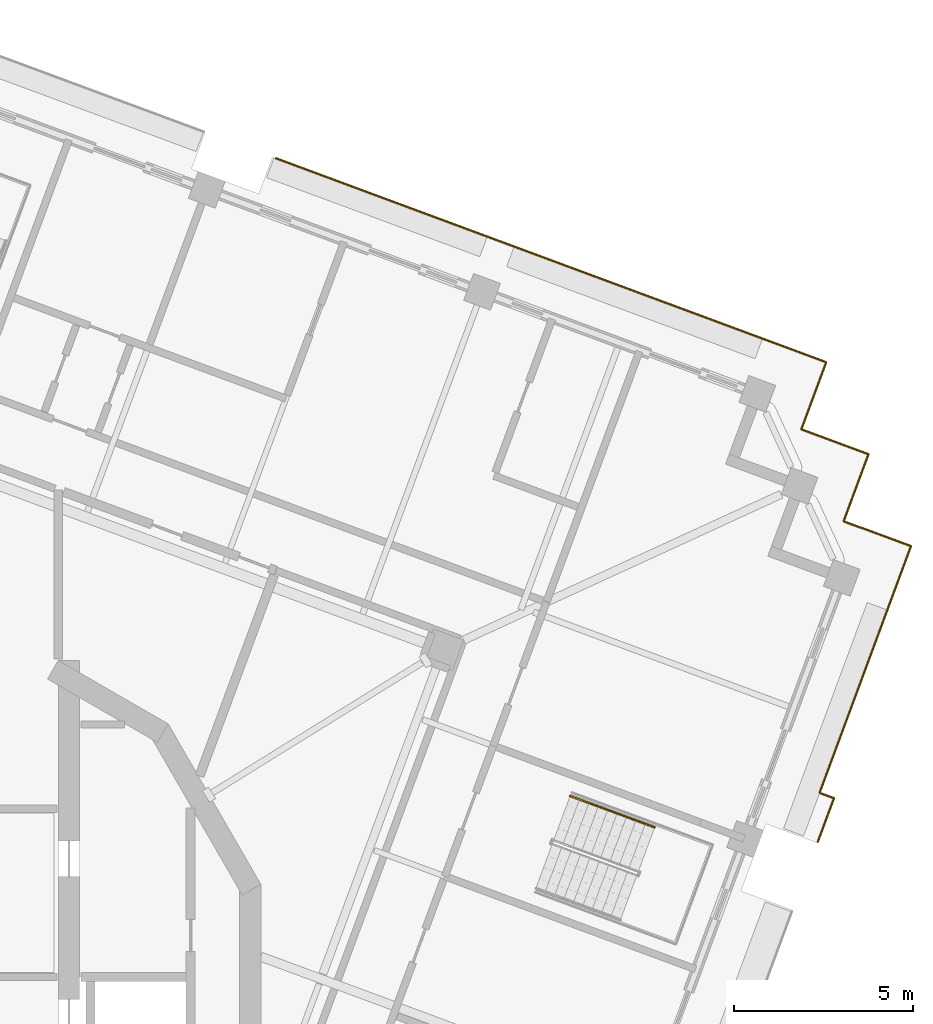
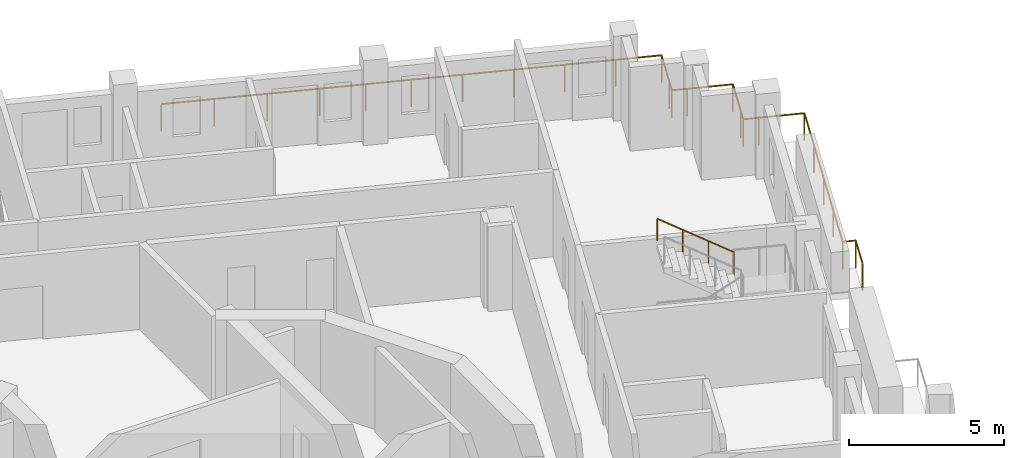
# One storey, part 18 of 19: 2 railings.
"""IFC4 building model written with IfcOpenShell, lengths in metres."""

from ifc_helpers import new_model, si_unit, direction, frame, origin, origin_2d, place, context, subcontext, project, spatial, circle, extrude, material, type_object, element, save


model = new_model("IFC4")

# Units and contexts
model_context = context("Model", 3, precision=1e-05, world=origin(), true_north=direction((0.0, 1.0)))
body_context = subcontext(model_context, "Body", "Model", "MODEL_VIEW")
ifc_project = project(units=[si_unit("LENGTHUNIT", "METRE"), si_unit("AREAUNIT", "SQUARE_METRE"), si_unit("VOLUMEUNIT", "CUBIC_METRE"), si_unit("PLANEANGLEUNIT", "RADIAN"), si_unit("MASSUNIT", "GRAM", prefix="KILO")], contexts=[model_context])

# Site, building, storey
site_placement = place(None, origin())
site = spatial("IfcSite", under=ifc_project, at=site_placement, CompositionType="ELEMENT")
building_placement = place(site_placement, origin())
building = spatial("IfcBuilding", under=site, at=building_placement, Name="Cantera Rosa Tower", CompositionType="ELEMENT")
storey_placement = place(building_placement, frame((0.0, 0.0, 320.5)))
storey = spatial("IfcBuildingStorey", under=building, at=storey_placement, Name="L71", CompositionType="ELEMENT", Elevation=320.5)

# Railings
ifc_material_1 = material(Name="Stainless steel and laminated glass", Category="steel")
railing_type_1 = type_object("IfcRailingType", Name="GUARD 1100", PredefinedType="BALUSTRADE", material=ifc_material_1)
railing_1_placement = place(storey_placement, frame((10.076171875, 22.8740234375, 0.0)))
element("IfcRailing", 1, at=railing_1_placement, inside=storey, type_object=railing_type_1, Name="GUARD L71-8", PredefinedType="BALUSTRADE", context=body_context, shape_type="SweptSolid", body=[
    extrude(circle(Radius=0.030029296875, at=origin_2d()), frame((0.0, 0.0, 1.070068359375), z_axis=(0.937688147358, -0.347477968085, 0.0), x_axis=(0.347477968085, 0.937688147358, 0.0)), (0.0, 0.0, 1.0), 5.199951171875),
    extrude(circle(Radius=0.030029296875, at=origin_2d()), frame((4.8759765625, -1.806884765625, 1.070068359375), z_axis=(0.937680024402, -0.347499887537, 0.0), x_axis=(0.347499887537, 0.937680024402, 0.0)), (0.0, 0.0, 1.0), 3.0),
    extrude(circle(Radius=0.030029296875, at=origin_2d()), frame((7.68896484375, -2.849365234375, 1.070068359375), z_axis=(0.937686328856, -0.347482875373, 0.0), x_axis=(0.347482875373, 0.937686328856, 0.0)), (0.0, 0.0, 1.0), 6.699951171875),
    extrude(circle(Radius=0.030029296875, at=origin_2d()), frame((13.971435546875, -5.177490234375, 1.070068359375), z_axis=(0.93769967459, -0.347446859641, 0.0), x_axis=(0.347446859641, 0.93769967459, 0.0)), (0.0, 0.0, 1.0), 1.500244140625),
    extrude(circle(Radius=0.030029296875, at=origin_2d()), frame((15.378173828125, -5.69873046875, 1.070068359375), z_axis=(-0.347499887537, -0.937680024402, 0.0), x_axis=(0.937680024402, -0.347499887537, 0.0)), (0.0, 0.0, 1.0), 1.5),
    extrude(circle(Radius=0.030029296875, at=origin_2d()), frame((14.85693359375, -7.105224609375, 1.070068359375), z_axis=(-0.347696042931, -0.937607306781, 0.0), x_axis=(0.937607306781, -0.347696042931, 0.0)), (0.0, 0.0, 1.0), 0.5),
    extrude(circle(Radius=0.030029296875, at=origin_2d()), frame((14.68310546875, -7.573974609375, 1.070068359375), z_axis=(0.937607306781, -0.347696042931, 0.0), x_axis=(0.347696042931, 0.937607306781, 0.0)), (0.0, 0.0, 1.0), 0.5),
    extrude(circle(Radius=0.030029296875, at=origin_2d()), frame((15.15185546875, -7.747802734375, 1.070068359375), z_axis=(0.93769967459, -0.347446859641, 0.0), x_axis=(0.347446859641, 0.93769967459, 0.0)), (0.0, 0.0, 1.0), 1.500244140625),
    extrude(circle(Radius=0.030029296875, at=origin_2d()), frame((16.55859375, -8.26904296875, 1.070068359375), z_axis=(-0.347499887537, -0.937680024402, 0.0), x_axis=(0.937680024402, -0.347499887537, 0.0)), (0.0, 0.0, 1.0), 1.5),
    extrude(circle(Radius=0.030029296875, at=origin_2d()), frame((16.037353515625, -9.675537109375, 1.070068359375), z_axis=(-0.347696042931, -0.937607306781, 0.0), x_axis=(0.937607306781, -0.347696042931, 0.0)), (0.0, 0.0, 1.0), 0.5),
    extrude(circle(Radius=0.030029296875, at=origin_2d()), frame((15.863525390625, -10.144287109375, 1.070068359375), z_axis=(0.937607306781, -0.347696042931, 0.0), x_axis=(0.347696042931, 0.937607306781, 0.0)), (0.0, 0.0, 1.0), 0.5),
    extrude(circle(Radius=0.030029296875, at=origin_2d()), frame((16.332275390625, -10.318115234375, 1.070068359375), z_axis=(0.378632845721, 0.925546956206, 0.0), x_axis=(-0.925546956206, 0.378632845721, 0.0)), (0.0, 0.0, 1.0), 0.005859375),
    extrude(circle(Radius=0.030029296875, at=origin_2d()), frame((16.33447265625, -10.312744140625, 1.070068359375), z_axis=(0.937688112969, -0.347478060884, 0.0), x_axis=(0.347478060884, 0.937688112969, 0.0)), (0.0, 0.0, 1.0), 1.505615234375),
    extrude(circle(Radius=0.030029296875, at=origin_2d()), frame((17.746337890625, -10.8359375, 1.070068359375), z_axis=(-0.347491761562, -0.93768303581, 0.0), x_axis=(0.93768303581, -0.347491761562, 0.0)), (0.0, 0.0, 1.0), 7.350341796875),
    extrude(circle(Radius=0.030029296875, at=origin_2d()), frame((15.192138671875, -17.728271484375, 1.070068359375), z_axis=(0.937584149048, -0.347758484374, 0.0), x_axis=(0.347758484374, 0.937584149048, 0.0)), (0.0, 0.0, 1.0), 0.4296875),
    extrude(circle(Radius=0.030029296875, at=origin_2d()), frame((15.594970703125, -17.877685546875, 1.070068359375), z_axis=(-0.347533658579, -0.937667508318, 0.0), x_axis=(0.937667508318, -0.347533658579, 0.0)), (0.0, 0.0, 1.0), 1.30517578125),
    extrude(circle(Radius=0.02490234375, at=origin_2d()), origin(), (0.0, 0.0, 1.0), 1.0400390625),
    extrude(circle(Radius=0.02490234375, at=origin_2d()), frame((1.625244140625, -0.602294921875, 0.0)), (0.0, 0.0, 1.0), 1.0400390625),
    extrude(circle(Radius=0.02490234375, at=origin_2d()), frame((3.250732421875, -1.20458984375, 0.0)), (0.0, 0.0, 1.0), 1.0400390625),
    extrude(circle(Radius=0.02490234375, at=origin_2d()), frame((4.8759765625, -1.806884765625, 0.0)), (0.0, 0.0, 1.0), 1.0400390625),
    extrude(circle(Radius=0.02490234375, at=origin_2d()), frame((6.282470703125, -2.328125, 0.0)), (0.0, 0.0, 1.0), 1.0400390625),
    extrude(circle(Radius=0.02490234375, at=origin_2d()), frame((7.68896484375, -2.849365234375, 0.0)), (0.0, 0.0, 1.0), 1.0400390625),
    extrude(circle(Radius=0.02490234375, at=origin_2d()), frame((9.259521484375, -3.431396484375, 0.0)), (0.0, 0.0, 1.0), 1.0400390625),
    extrude(circle(Radius=0.02490234375, at=origin_2d()), frame((10.830078125, -4.013427734375, 0.0)), (0.0, 0.0, 1.0), 1.0400390625),
    extrude(circle(Radius=0.02490234375, at=origin_2d()), frame((12.40087890625, -4.595458984375, 0.0)), (0.0, 0.0, 1.0), 1.0400390625),
    extrude(circle(Radius=0.02490234375, at=origin_2d()), frame((13.971435546875, -5.177490234375, 0.0)), (0.0, 0.0, 1.0), 1.0400390625),
    extrude(circle(Radius=0.02490234375, at=origin_2d()), frame((15.378173828125, -5.69873046875, 0.0)), (0.0, 0.0, 1.0), 1.0400390625),
    extrude(circle(Radius=0.02490234375, at=origin_2d()), frame((14.85693359375, -7.105224609375, 0.0)), (0.0, 0.0, 1.0), 1.0400390625),
    extrude(circle(Radius=0.02490234375, at=origin_2d()), frame((14.68310546875, -7.573974609375, 0.0)), (0.0, 0.0, 1.0), 1.0400390625),
    extrude(circle(Radius=0.02490234375, at=origin_2d()), frame((15.15185546875, -7.747802734375, 0.0)), (0.0, 0.0, 1.0), 1.0400390625),
    extrude(circle(Radius=0.02490234375, at=origin_2d()), frame((16.55859375, -8.26904296875, 0.0)), (0.0, 0.0, 1.0), 1.0400390625),
    extrude(circle(Radius=0.02490234375, at=origin_2d()), frame((16.037353515625, -9.675537109375, 0.0)), (0.0, 0.0, 1.0), 1.0400390625),
    extrude(circle(Radius=0.02490234375, at=origin_2d()), frame((15.863525390625, -10.144287109375, 0.0)), (0.0, 0.0, 1.0), 1.0400390625),
    extrude(circle(Radius=0.02490234375, at=origin_2d()), frame((16.332275390625, -10.318115234375, 0.0)), (0.0, 0.0, 1.0), 1.0400390625),
    extrude(circle(Radius=0.02490234375, at=origin_2d()), frame((16.33447265625, -10.312744140625, 0.0)), (0.0, 0.0, 1.0), 1.0400390625),
    extrude(circle(Radius=0.02490234375, at=origin_2d()), frame((17.746337890625, -10.8359375, 0.0)), (0.0, 0.0, 1.0), 1.0400390625),
    extrude(circle(Radius=0.02490234375, at=origin_2d()), frame((17.10791015625, -12.55908203125, 0.0)), (0.0, 0.0, 1.0), 1.0400390625),
    extrude(circle(Radius=0.02490234375, at=origin_2d()), frame((16.46923828125, -14.2822265625, 0.0)), (0.0, 0.0, 1.0), 1.0400390625),
    extrude(circle(Radius=0.02490234375, at=origin_2d()), frame((15.83056640625, -16.005126953125, 0.0)), (0.0, 0.0, 1.0), 1.0400390625),
    extrude(circle(Radius=0.02490234375, at=origin_2d()), frame((15.192138671875, -17.728271484375, 0.0)), (0.0, 0.0, 1.0), 1.0400390625),
    extrude(circle(Radius=0.02490234375, at=origin_2d()), frame((15.594970703125, -17.877685546875, 0.0)), (0.0, 0.0, 1.0), 1.0400390625),
    extrude(circle(Radius=0.02490234375, at=origin_2d()), frame((15.141357421875, -19.1015625, 0.0)), (0.0, 0.0, 1.0), 1.0400390625),
])
ifc_material_2 = material(Name="Steel S355J2 (EN 10025-2)", Category="steel")
railing_type_2 = type_object("IfcRailingType", Name="STAIR HANDRAIL 900", PredefinedType="HANDRAIL", material=ifc_material_2)
railing_2_placement = place(storey_placement, frame((20.660400390625, 4.181396484375, 1.97998046875)))
element("IfcRailing", 2, at=railing_2_placement, inside=storey, type_object=railing_type_2, Name="L71 ST-61 stair handrail 2", PredefinedType="HANDRAIL", context=body_context, shape_type="SweptSolid", body=[
    extrude(circle(Radius=0.02392578125, at=origin_2d()), frame((0.0, 0.0, 0.8759765625), z_axis=(-0.788747577403, 0.292306804437, 0.540771662738), x_axis=(-0.347500508527, -0.937679794265, 0.0)), (0.0, 0.0, 1.0), 2.995849609375),
    extrude(circle(Radius=0.02099609375, at=origin_2d()), origin(), (0.0, 0.0, 1.0), 0.851806640625),
    extrude(circle(Radius=0.02099609375, at=origin_2d()), frame((-0.78759765625, 0.2919921875, 0.5400390625)), (0.0, 0.0, 1.0), 0.851806640625),
    extrude(circle(Radius=0.02099609375, at=origin_2d()), frame((-1.575439453125, 0.583740234375, 1.080078125)), (0.0, 0.0, 1.0), 0.851806640625),
    extrude(circle(Radius=0.02099609375, at=origin_2d()), frame((-2.363037109375, 0.875732421875, 1.6201171875)), (0.0, 0.0, 1.0), 0.851806640625),
])

save(model, "model.ifc")
